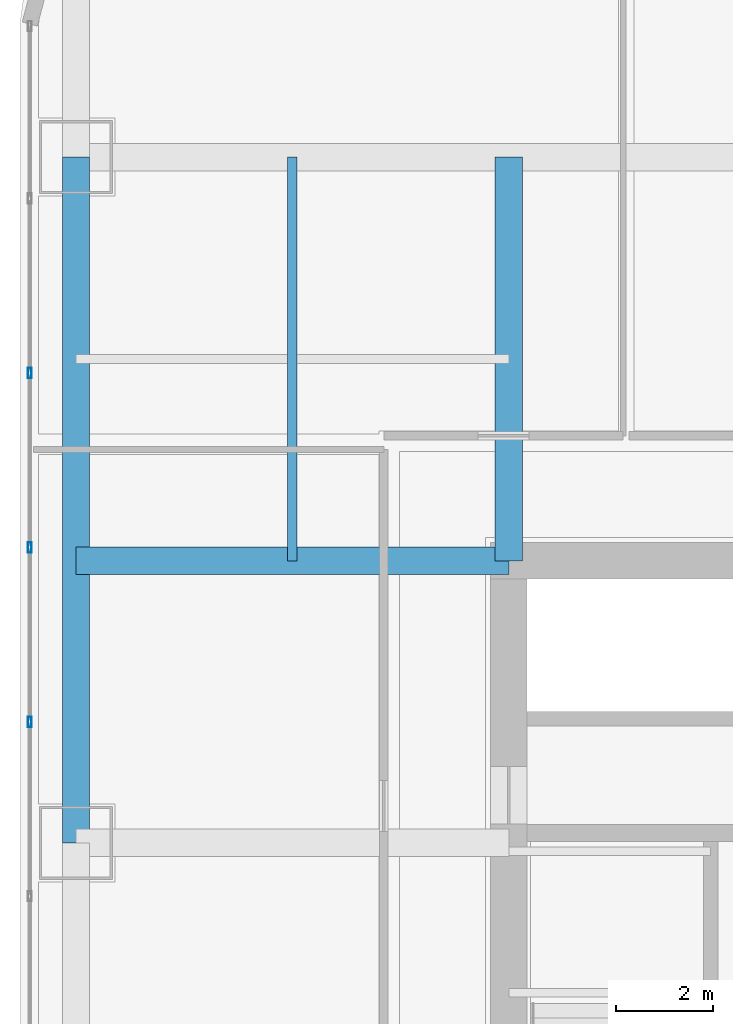
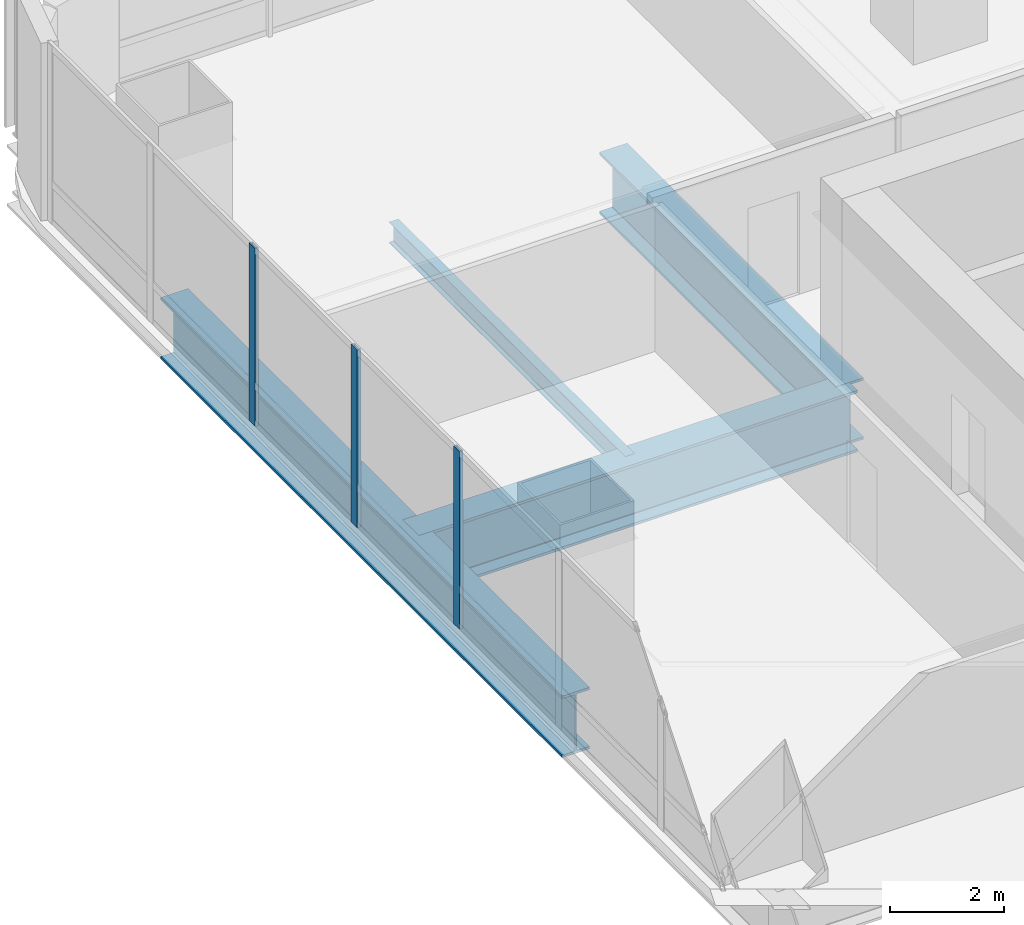
# One storey, part 9 of 37: 4 beams, 3 members, 1 element without a shape of its own.
"""IFC4 building model written with IfcOpenShell, lengths in metres."""

from ifc_helpers import new_model, si_unit, direction, frame, origin, origin_2d, place, context, subcontext, project, spatial, hollow_rectangle, i_section, extrude, material, material_profile, profile_set, type_object, element, aggregate, save


model = new_model("IFC4")

# Units and contexts
model_context = context("Model", 3, precision=1e-05, world=origin(), true_north=direction((0.0, 1.0)))
body_context = subcontext(model_context, "Body", "Model", "MODEL_VIEW")
ifc_project = project(units=[si_unit("LENGTHUNIT", "METRE"), si_unit("AREAUNIT", "SQUARE_METRE"), si_unit("VOLUMEUNIT", "CUBIC_METRE"), si_unit("PLANEANGLEUNIT", "RADIAN"), si_unit("MASSUNIT", "GRAM", prefix="KILO")], contexts=[model_context])

# Site, building, storey
site_placement = place(None, origin())
site = spatial("IfcSite", under=ifc_project, at=site_placement, CompositionType="ELEMENT")
building_placement = place(site_placement, origin())
building = spatial("IfcBuilding", under=site, at=building_placement, Name="Punatoya Terracotta Tower", CompositionType="ELEMENT")
storey_placement = place(building_placement, frame((0.0, 0.0, 109.199951171875)))
storey = spatial("IfcBuildingStorey", under=building, at=storey_placement, Name="L25", CompositionType="ELEMENT", Elevation=109.199951171875)

# Beams
ifc_material_1 = material(Name="Steel S355", Category="steel")
ifc_material_profile_1 = material_profile(ifc_material_1, i_section(OverallWidth=0.18994140625, OverallDepth=0.449951171875, WebThickness=0.009521484375, FlangeThickness=0.0146484375, FilletRadius=0.01806640625, at=origin_2d()))
ifc_profile_set_1 = profile_set([ifc_material_profile_1], Name="Steel S355")
beam_type_1 = type_object("IfcBeamType", Name="BM-SEC-450", PredefinedType="JOIST", material=ifc_profile_set_1)
beam_1_placement = place(storey_placement, frame((-14.64990234375, 9.199951171875, -0.46484375), z_axis=(0.0, 1.0, 0.0), x_axis=(-1.0, 0.0, 0.0)))
element("IfcBeam", 1, at=beam_1_placement, inside=storey, type_object=beam_type_1, Name="BM-L25-SJW-2", PredefinedType="JOIST", context=body_context, shape_type="SweptSolid", body=[
    extrude(i_section(OverallWidth=0.18994140625, OverallDepth=0.449951171875, WebThickness=0.009521484375, FlangeThickness=0.0146484375, FilletRadius=0.01806640625, at=origin_2d()), origin(), (0.0, 0.0, 1.0), 8.300048828125),
])
ifc_material_2 = material(Name="Steel S460", Category="steel")
ifc_material_profile_2 = material_profile(ifc_material_2, i_section(OverallWidth=0.56005859375, OverallDepth=1.320068359375, WebThickness=0.035888671875, FlangeThickness=0.054931640625, FilletRadius=0.01806640625, at=origin_2d()))
ifc_profile_set_2 = profile_set([ifc_material_profile_2], Name="Steel S460")
beam_type_2 = type_object("IfcBeamType", Name="BM-TG-BLK", PredefinedType="BEAM", material=ifc_profile_set_2)
beam_2_placement = place(storey_placement, frame((-19.10009765625, 3.39990234375, -0.89990234375), z_axis=(0.0, 1.0, 0.0), x_axis=(-1.0, 0.0, 0.0)))
element("IfcBeam", 2, at=beam_2_placement, inside=storey, type_object=beam_type_2, Name="BM-L25-RG-W3", PredefinedType="BEAM", context=body_context, shape_type="SweptSolid", body=[
    extrude(i_section(OverallWidth=0.56005859375, OverallDepth=1.320068359375, WebThickness=0.035888671875, FlangeThickness=0.054931640625, FilletRadius=0.01806640625, at=origin_2d()), origin(), (0.0, 0.0, 1.0), 14.10009765625),
])
beam_3_placement = place(storey_placement, frame((-19.10009765625, 9.199951171875, -0.89990234375), z_axis=(1.0, 0.0, 0.0), x_axis=(0.0, 1.0, 0.0)))
element("IfcBeam", 3, at=beam_3_placement, inside=storey, type_object=beam_type_2, Name="BM-L25-PR-WN", PredefinedType="BEAM", context=body_context, shape_type="SweptSolid", body=[
    extrude(i_section(OverallWidth=0.56005859375, OverallDepth=1.320068359375, WebThickness=0.035888671875, FlangeThickness=0.054931640625, FilletRadius=0.01806640625, at=origin_2d()), origin(), (0.0, 0.0, 1.0), 8.900146484375),
])
beam_4_placement = place(storey_placement, frame((-10.199951171875, 9.199951171875, -0.89990234375), z_axis=(0.0, 1.0, 0.0), x_axis=(-1.0, 0.0, 0.0)))
element("IfcBeam", 4, at=beam_4_placement, inside=storey, type_object=beam_type_2, Name="BM-L25-PR-N1", PredefinedType="BEAM", context=body_context, shape_type="SweptSolid", body=[
    extrude(i_section(OverallWidth=0.56005859375, OverallDepth=1.320068359375, WebThickness=0.035888671875, FlangeThickness=0.054931640625, FilletRadius=0.01806640625, at=origin_2d()), origin(), (0.0, 0.0, 1.0), 8.300048828125),
])

# Curtain wall, members
ifc_material_3 = material(Name="Aluminium 6063-T6 + Double Low-E Glass", Category="aluminium")
curtain_wall_type = type_object("IfcCurtainWallType", Name="CW-M1", PredefinedType="NOTDEFINED", material=ifc_material_3)
curtain_wall_placement = place(storey_placement, origin())
curtain_wall = element("IfcCurtainWall", 5, at=curtain_wall_placement, inside=storey, type_object=curtain_wall_type, Name="L25 Curtain Wall CW-L25-W12-1", PredefinedType="NOTDEFINED")
ifc_material_4 = material(Name="Aluminium 6063-T6", Category="aluminium")
ifc_material_profile_3 = material_profile(ifc_material_4, hollow_rectangle(XDim=0.074951171875, YDim=0.2099609375, WallThickness=0.00439453125, at=origin_2d()))
ifc_profile_set_3 = profile_set([ifc_material_profile_3], Name="Aluminium 6063-T6")
member_type = type_object("IfcMemberType", Name="CW-MUL-M1", PredefinedType="MULLION", material=ifc_profile_set_3)
member_1_placement = place(storey_placement, frame((-20.050048828125, 13.06201171875, 0.0), z_axis=(0.0, 0.0, 1.0), x_axis=(1.0, 0.0, 0.0)))
member_1 = element("IfcMember", 6, at=member_1_placement, type_object=member_type, Name="CW-L25-W12-1 Mullion 02", PredefinedType="MULLION", context=body_context, shape_type="SweptSolid", body=[
    extrude(hollow_rectangle(XDim=0.074951171875, YDim=0.2099609375, WallThickness=0.00439453125, at=origin_2d()), origin(), (0.0, 0.0, 1.0), 3.81005859375),
])
member_2_placement = place(storey_placement, frame((-20.050048828125, 9.474609375, 0.0), z_axis=(0.0, 0.0, 1.0), x_axis=(1.0, 0.0, 0.0)))
member_2 = element("IfcMember", 7, at=member_2_placement, type_object=member_type, Name="CW-L25-W12-1 Mullion 03", PredefinedType="MULLION", context=body_context, shape_type="SweptSolid", body=[
    extrude(hollow_rectangle(XDim=0.074951171875, YDim=0.2099609375, WallThickness=0.00439453125, at=origin_2d()), origin(), (0.0, 0.0, 1.0), 3.81005859375),
])
member_3_placement = place(storey_placement, frame((-20.050048828125, 5.88720703125, 0.0), z_axis=(0.0, 0.0, 1.0), x_axis=(1.0, 0.0, 0.0)))
member_3 = element("IfcMember", 8, at=member_3_placement, type_object=member_type, Name="CW-L25-W12-1 Mullion 04", PredefinedType="MULLION", context=body_context, shape_type="SweptSolid", body=[
    extrude(hollow_rectangle(XDim=0.074951171875, YDim=0.2099609375, WallThickness=0.00439453125, at=origin_2d()), origin(), (0.0, 0.0, 1.0), 3.81005859375),
])
aggregate(curtain_wall, [member_1, member_2, member_3])

save(model, "model.ifc")
